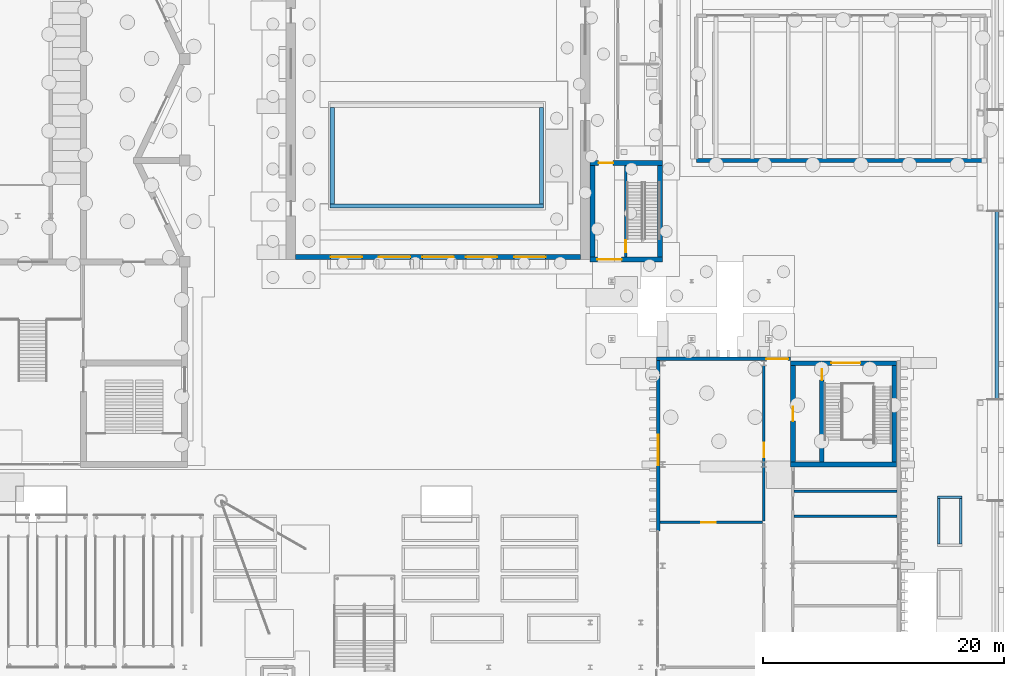
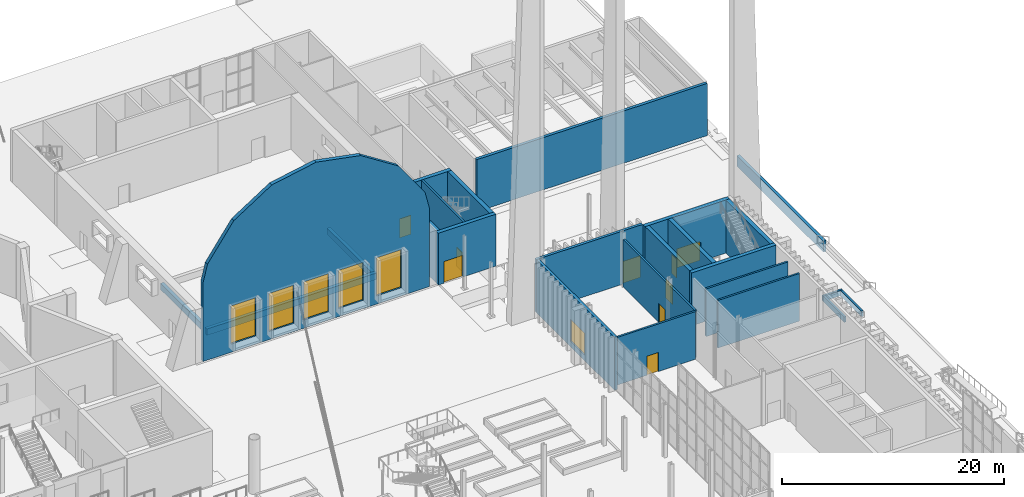
# One storey, part 73 of 108: 25 walls, 9 doors, 6 windows, 15 openings.
"""IFC4 building model written with IfcOpenShell, lengths in metres."""

from ifc_helpers import new_model, si_unit, direction, frame, frame_2d, origin, place, context, subcontext, project, spatial, polyline, rectangle, outline, extrude, material, layer, layer_set, type_object, element, fill, save


model = new_model("IFC4")

# Units and contexts
model_context = context("Model", 3, precision=1e-05, world=origin(), true_north=direction((0.0, 1.0)))
body_context = subcontext(model_context, "Body", "Model", "MODEL_VIEW")
ifc_project = project(units=[si_unit("LENGTHUNIT", "METRE"), si_unit("AREAUNIT", "SQUARE_METRE"), si_unit("VOLUMEUNIT", "CUBIC_METRE"), si_unit("PLANEANGLEUNIT", "RADIAN"), si_unit("MASSUNIT", "GRAM", prefix="KILO")], contexts=[model_context])

# Site, building, storey
site_placement = place(None, origin())
site = spatial("IfcSite", under=ifc_project, at=site_placement, CompositionType="ELEMENT")
building_placement = place(site_placement, origin())
building = spatial("IfcBuilding", under=site, at=building_placement, Name="Cresset Court Congress Hotel", CompositionType="ELEMENT")
storey_placement = place(building_placement, origin())
storey = spatial("IfcBuildingStorey", under=building, at=storey_placement, Name="L00", CompositionType="ELEMENT", Elevation=0.0)

# Walls
ifc_material_1 = material(Name="Concrete block wall", Category="concrete")
ifc_layer_1 = layer(ifc_material_1, 0.199951171875)
ifc_layer_set_1 = layer_set([ifc_layer_1], Name="Back-of-house wall 200")
wall_type_1 = type_object("IfcWallType", Name="Back-of-house wall 200", PredefinedType="PARTITIONING", material=ifc_layer_set_1)
for number, where, z_axis, x_axis, name in (
    (1, (168.10009765625, 54.5, 0.0), (0.0, 0.0, 1.0), (1.0, 0.0, 0.0), "A.wl.L00.003"),
    (2, (168.10009765625, 56.60009765625, 0.0), (0.0, 0.0, 1.0), (1.0, 0.0, 0.0), "A.wl.L00.004"),
):
    element("IfcWall", number, at=place(storey_placement, frame(where, z_axis=z_axis, x_axis=x_axis)), inside=storey, type_object=wall_type_1, Name=name, PredefinedType="PARTITIONING", context=body_context, shape_type="SweptSolid", body=[
        extrude(rectangle(XDim=8.52001953125, YDim=0.199951171875, at=frame_2d((4.260009765625, 0.0))), origin(), (0.0, 0.0, 1.0), 5.25),
    ])

# Wall, opening, door
wall_1_placement = place(storey_placement, frame((156.97998046875, 54.0, 0.0), z_axis=(0.0, 0.0, 1.0), x_axis=(1.0, 0.0, 0.0)))
wall_1 = element("IfcWall", 3, at=wall_1_placement, inside=storey, type_object=wall_type_1, Name="A.wl.L00.011", PredefinedType="PARTITIONING", context=body_context, shape_type="SweptSolid", body=[
    extrude(rectangle(XDim=8.52001953125, YDim=0.199951171875, at=frame_2d((4.260009765625, 0.0))), origin(), (0.0, 0.0, 1.0), 5.25),
])
opening_1_placement = place(wall_1_placement, frame((3.419921875, 0.0, 0.0)))
opening_1 = element("IfcOpeningElement", 4, at=opening_1_placement, cuts=wall_1, Name="Opening DA-00-11", PredefinedType="OPENING", context=body_context, shape_type="SweptSolid", body=[
    extrude(rectangle(XDim=1.199951171875, YDim=2.10009765625, at=frame_2d((0.60009765625, 1.050048828125))), frame((0.0, 0.10986328125, 0.0), z_axis=(0.0, -1.0, 0.0), x_axis=(1.0, 0.0, 0.0)), (0.0, 0.0, 1.0), 0.219970703125),
])
ifc_material_2 = material(Name="timber", Category="wood")
door_type_1 = type_object("IfcDoorType", Name="Interior door 1200x2100 FD60", OperationType="SINGLE_SWING_LEFT", PredefinedType="DOOR", material=ifc_material_2)
door_1_placement = place(opening_1_placement, origin())
door_1 = element("IfcDoor", 5, at=door_1_placement, inside=storey, type_object=door_type_1, Name="Door DA-00-11", OperationType="SINGLE_SWING_LEFT", OverallHeight=2.10009765625, OverallWidth=1.199951171875, PredefinedType="DOOR", context=body_context, shape_type="SweptSolid", body=[
    extrude(rectangle(XDim=1.199951171875, YDim=2.10009765625, at=frame_2d((0.60009765625, 1.050048828125))), frame((0.0, 0.02490234375, 0.0), z_axis=(0.0, -1.0, 0.0), x_axis=(1.0, 0.0, 0.0)), (0.0, 0.0, 1.0), 0.050048828125),
])
fill(opening_1, door_1)

ifc_material_3 = material(Name="Gypsum board partition")
ifc_layer_2 = layer(ifc_material_3, 0.199951171875)
ifc_layer_set_2 = layer_set([ifc_layer_2], Name="Corridor wall 200")
wall_type_2 = type_object("IfcWallType", Name="Corridor wall 200", PredefinedType="PARTITIONING", material=ifc_layer_set_2)
wall_2_placement = place(storey_placement, frame((165.60009765625, 54.10009765625, 0.0), z_axis=(0.0, 0.0, 1.0), x_axis=(0.0, 1.0, 0.0)))
wall_2 = element("IfcWall", 6, at=wall_2_placement, inside=storey, type_object=wall_type_2, Name="A.wl.L00.013", PredefinedType="PARTITIONING", context=body_context, shape_type="SweptSolid", body=[
    extrude(rectangle(XDim=12.885986328125, YDim=0.199951171875, at=frame_2d((6.44287109375, 0.0))), origin(), (0.0, 0.0, 1.0), 5.25),
])
opening_2_placement = place(wall_2_placement, frame((5.300048828125, 0.0, 0.0)))
opening_2 = element("IfcOpeningElement", 7, at=opening_2_placement, cuts=wall_2, Name="Opening DA-00-10", PredefinedType="OPENING", context=body_context, shape_type="SweptSolid", body=[
    extrude(rectangle(XDim=1.199951171875, YDim=2.10009765625, at=frame_2d((0.60009765625, 1.050048828125))), frame((0.0, 0.10986328125, 0.0), z_axis=(0.0, -1.0, 0.0), x_axis=(1.0, 0.0, 0.0)), (0.0, 0.0, 1.0), 0.219970703125),
])
ifc_material_4 = material(Name="steel", Category="steel")
door_type_2 = type_object("IfcDoorType", Name="Back-of-house door 1200x2100 FD60", OperationType="SINGLE_SWING_LEFT", PredefinedType="DOOR", material=ifc_material_4)
door_2_placement = place(opening_2_placement, origin())
door_2 = element("IfcDoor", 8, at=door_2_placement, inside=storey, type_object=door_type_2, Name="Door DA-00-10", OperationType="SINGLE_SWING_RIGHT", OverallHeight=2.10009765625, OverallWidth=1.199951171875, PredefinedType="DOOR", context=body_context, shape_type="SweptSolid", body=[
    extrude(rectangle(XDim=1.199951171875, YDim=2.10009765625, at=frame_2d((0.60009765625, 1.050048828125))), frame((0.0, 0.02490234375, 0.0), z_axis=(0.0, -1.0, 0.0), x_axis=(1.0, 0.0, 0.0)), (0.0, 0.0, 1.0), 0.050048828125),
])
fill(opening_2, door_2)

# Wall, opening, window
ifc_material_5 = material(Name="Precast concrete C50", Category="concrete")
ifc_layer_3 = layer(ifc_material_5, 0.280029296875)
ifc_layer_set_3 = layer_set([ifc_layer_3], Name="External wall 280")
wall_type_3 = type_object("IfcWallType", Name="External wall 280", PredefinedType="SOLIDWALL", material=ifc_layer_set_3)
wall_3_placement = place(storey_placement, frame((156.840087890625, 53.300048828125, 0.0), z_axis=(0.0, 0.0, 1.0), x_axis=(0.0, 1.0, 0.0)))
wall_3 = element("IfcWall", 9, at=wall_3_placement, inside=storey, type_object=wall_type_3, Name="A.ew.L00.W.1", PredefinedType="SOLIDWALL", context=body_context, shape_type="SweptSolid", body=[
    extrude(rectangle(XDim=14.119873046875, YDim=0.280029296875, at=frame_2d((7.06005859375, 0.0))), origin(), (0.0, 0.0, 1.0), 5.85009765625),
])
opening_3_placement = place(wall_3_placement, frame((5.43994140625, 0.0, 0.60009765625)))
opening_3 = element("IfcOpeningElement", 10, at=opening_3_placement, cuts=wall_3, Name="Opening NA-00-01", PredefinedType="OPENING", context=body_context, shape_type="SweptSolid", body=[
    extrude(rectangle(XDim=2.52001953125, YDim=2.39990234375, at=frame_2d((1.260009765625, 1.199951171875))), frame((0.0, 0.14990234375, 0.0), z_axis=(0.0, -1.0, 0.0), x_axis=(1.0, 0.0, 0.0)), (0.0, 0.0, 1.0), 0.300048828125),
])
ifc_material_6 = material(Name="Aluminium and glass", Category="aluminium")
window_type_1 = type_object("IfcWindowType", Name="Window 2520x2400", PartitioningType="SINGLE_PANEL", PredefinedType="WINDOW", material=ifc_material_6)
window_1_placement = place(opening_3_placement, origin())
window_1 = element("IfcWindow", 11, at=window_1_placement, inside=storey, type_object=window_type_1, Name="Window NA-00-01", OverallHeight=2.39990234375, OverallWidth=2.52001953125, PartitioningType="SINGLE_PANEL", PredefinedType="WINDOW", context=body_context, shape_type="SweptSolid", body=[
    extrude(rectangle(XDim=2.52001953125, YDim=2.39990234375, at=frame_2d((1.260009765625, 1.199951171875))), frame((0.0, 0.030029296875, 0.0), z_axis=(0.0, -1.0, 0.0), x_axis=(1.0, 0.0, 0.0)), (0.0, 0.0, 1.0), 0.06005859375),
])
fill(opening_3, window_1)

# Wall, opening, door
ifc_material_7 = material(Name="Precast concrete C50", Category="concrete")
ifc_layer_4 = layer(ifc_material_7, 0.280029296875)
ifc_layer_set_4 = layer_set([ifc_layer_4], Name="Gable end wall 280")
wall_type_4 = type_object("IfcWallType", Name="Gable end wall 280", PredefinedType="SOLIDWALL", material=ifc_layer_set_4)
wall_4_placement = place(storey_placement, frame((156.699951171875, 67.56005859375, 0.0), z_axis=(0.0, 0.0, 1.0), x_axis=(1.0, 0.0, 0.0)))
wall_4 = element("IfcWall", 12, at=wall_4_placement, inside=storey, type_object=wall_type_4, Name="A.ew.L00.N.1", PredefinedType="SOLIDWALL", context=body_context, shape_type="SweptSolid", body=[
    extrude(rectangle(XDim=11.10009765625, YDim=0.280029296875, at=frame_2d((5.550048828125, 0.0))), origin(), (0.0, 0.0, 1.0), 5.85009765625),
])
opening_4_placement = place(wall_4_placement, frame((9.10009765625, 0.0, 0.0)))
opening_4 = element("IfcOpeningElement", 13, at=opening_4_placement, cuts=wall_4, Name="Opening DA-00-S1", PredefinedType="OPENING", context=body_context, shape_type="SweptSolid", body=[
    extrude(rectangle(XDim=1.800048828125, YDim=2.39990234375, at=frame_2d((0.89990234375, 1.199951171875))), frame((0.0, 0.14990234375, 0.0), z_axis=(0.0, -1.0, 0.0), x_axis=(1.0, 0.0, 0.0)), (0.0, 0.0, 1.0), 0.300048828125),
])
ifc_material_8 = material(Name="steel", Category="steel")
door_type_3 = type_object("IfcDoorType", Name="Service entrance door 1800x2400", OperationType="DOUBLE_DOOR_DOUBLE_SWING", PredefinedType="DOOR", material=ifc_material_8)
door_3_placement = place(opening_4_placement, origin())
door_3 = element("IfcDoor", 14, at=door_3_placement, inside=storey, type_object=door_type_3, Name="Door DA-00-S1", OperationType="DOUBLE_DOOR_DOUBLE_SWING", OverallHeight=2.39990234375, OverallWidth=1.800048828125, PredefinedType="DOOR", context=body_context, shape_type="SweptSolid", body=[
    extrude(rectangle(XDim=1.800048828125, YDim=2.39990234375, at=frame_2d((0.89990234375, 1.199951171875))), frame((0.0, 0.02490234375, 0.0), z_axis=(0.0, -1.0, 0.0), x_axis=(1.0, 0.0, 0.0)), (0.0, 0.0, 1.0), 0.050048828125),
])
fill(opening_4, door_3)

# Walls
ifc_material_9 = material(Name="Concrete C35", Category="concrete")
ifc_layer_5 = layer(ifc_material_9, 0.199951171875)
ifc_layer_set_5 = layer_set([ifc_layer_5], Name="Planter wall 200")
wall_type_5 = type_object("IfcWallType", Name="Planter wall 200", PredefinedType="SOLIDWALL", material=ifc_layer_set_5)
wall_5_placement = place(storey_placement, frame((180.0, 56.10009765625, 0.0), z_axis=(0.0, 0.0, 1.0), x_axis=(1.0, 0.0, 0.0)))
element("IfcWall", 15, at=wall_5_placement, inside=storey, type_object=wall_type_5, Name="S.planter.L00.12.N", PredefinedType="SOLIDWALL", context=body_context, shape_type="SweptSolid", body=[
    extrude(rectangle(XDim=2.0, YDim=0.199951171875, at=frame_2d((1.0, 0.0))), origin(), (0.0, 0.0, 1.0), 0.60009765625),
])
for number, where, z_axis, x_axis, name in (
    (16, (180.10009765625, 52.199951171875, 0.0), (0.0, 0.0, 1.0), (0.0, 1.0, 0.0), "S.planter.L00.12.W"),
    (17, (181.89990234375, 52.199951171875, 0.0), (0.0, 0.0, 1.0), (0.0, 1.0, 0.0), "S.planter.L00.12.E"),
):
    element("IfcWall", number, at=place(storey_placement, frame(where, z_axis=z_axis, x_axis=x_axis)), inside=storey, type_object=wall_type_5, Name=name, PredefinedType="SOLIDWALL", context=body_context, shape_type="SweptSolid", body=[
        extrude(rectangle(XDim=3.800048828125, YDim=0.199951171875, at=frame_2d((1.89990234375, 0.0))), origin(), (0.0, 0.0, 1.0), 0.60009765625),
    ])
ifc_material_10 = material(Name="Concrete C35", Category="concrete")
ifc_layer_6 = layer(ifc_material_10, 0.300048828125)
ifc_layer_set_6 = layer_set([ifc_layer_6], Name="Plinth wall 300")
wall_type_6 = type_object("IfcWallType", Name="Plinth wall 300", PredefinedType="SOLIDWALL", material=ifc_layer_set_6)
wall_6_placement = place(storey_placement, frame((184.89990234375, 64.199951171875, -1.199951171875), z_axis=(0.0, 0.0, 1.0), x_axis=(0.0, 1.0, 0.0)))
element("IfcWall", 18, at=wall_6_placement, inside=storey, type_object=wall_type_6, Name="S.wall.L00.PE05", PredefinedType="SOLIDWALL", context=body_context, shape_type="SweptSolid", body=[
    extrude(rectangle(XDim=15.60009765625, YDim=0.300048828125, at=frame_2d((7.800048828125, 0.0))), origin(), (0.0, 0.0, 1.0), 1.199951171875),
])

# Wall, opening, door
ifc_material_11 = material(Name="Concrete C50", Category="concrete")
ifc_layer_7 = layer(ifc_material_11, 0.39990234375)
ifc_layer_set_7 = layer_set([ifc_layer_7], Name="RC core wall 400 C50")
wall_type_7 = type_object("IfcWallType", Name="RC core wall 400 C50", PredefinedType="SOLIDWALL", material=ifc_layer_set_7)
wall_7_placement = place(storey_placement, frame((151.199951171875, 83.800048828125, 0.0), z_axis=(0.0, 0.0, 1.0), x_axis=(1.0, 0.0, 0.0)))
wall_7 = element("IfcWall", 19, at=wall_7_placement, inside=storey, type_object=wall_type_7, Name="ST-E2 north wall", PredefinedType="SOLIDWALL", context=body_context, shape_type="SweptSolid", body=[
    extrude(rectangle(XDim=6.0, YDim=0.39990234375, at=frame_2d((3.0, 0.0))), origin(), (0.0, 0.0, 1.0), 5.719970703125),
])
opening_5_placement = place(wall_7_placement, frame((0.699951171875, 0.0, 0.0)))
opening_5 = element("IfcOpeningElement", 20, at=opening_5_placement, cuts=wall_7, Name="Opening DE-00-10", PredefinedType="OPENING", context=body_context, shape_type="SweptSolid", body=[
    extrude(rectangle(XDim=1.199951171875, YDim=2.10009765625, at=frame_2d((0.60009765625, 1.050048828125))), frame((0.0, 0.2099609375, 0.0), z_axis=(0.0, -1.0, 0.0), x_axis=(1.0, 0.0, 0.0)), (0.0, 0.0, 1.0), 0.419921875),
])
ifc_material_12 = material(Name="Timber door leaf", Category="wood")
door_type_4 = type_object("IfcDoorType", Name="Stair lobby door 1200x2100", OperationType="SINGLE_SWING_LEFT", PredefinedType="DOOR", material=ifc_material_12)
door_4_placement = place(opening_5_placement, origin())
door_4 = element("IfcDoor", 21, at=door_4_placement, inside=storey, type_object=door_type_4, Name="Stair lobby door DE-00-10", OperationType="SINGLE_SWING_LEFT", OverallHeight=2.10009765625, OverallWidth=1.199951171875, PredefinedType="DOOR", context=body_context, shape_type="SweptSolid", body=[
    extrude(rectangle(XDim=1.199951171875, YDim=2.10009765625, at=frame_2d((0.60009765625, 1.050048828125))), frame((0.0, 0.02490234375, 0.0), z_axis=(0.0, -1.0, 0.0), x_axis=(1.0, 0.0, 0.0)), (0.0, 0.0, 1.0), 0.050048828125),
])
fill(opening_5, door_4)

# Wall
wall_8_placement = place(storey_placement, frame((151.39990234375, 76.0, 0.0), z_axis=(0.0, 0.0, 1.0), x_axis=(0.0, 1.0, 0.0)))
element("IfcWall", 22, at=wall_8_placement, inside=storey, type_object=wall_type_7, Name="ST-E2 west wall", PredefinedType="SOLIDWALL", context=body_context, shape_type="SweptSolid", body=[
    extrude(rectangle(XDim=7.60009765625, YDim=0.39990234375, at=frame_2d((3.800048828125, 0.0))), origin(), (0.0, 0.0, 1.0), 5.719970703125),
])

# Wall, opening, door
ifc_material_13 = material(Name="Concrete C50", Category="concrete")
ifc_layer_8 = layer(ifc_material_13, 0.39990234375)
ifc_layer_set_8 = layer_set([ifc_layer_8], Name="RC core wall 400 C50 external")
wall_type_8 = type_object("IfcWallType", Name="RC core wall 400 C50 external", PredefinedType="SOLIDWALL", material=ifc_layer_set_8)
wall_9_placement = place(storey_placement, frame((157.199951171875, 75.800048828125, 0.0), z_axis=(0.0, 0.0, 1.0), x_axis=(-1.0, 0.0, 0.0)))
wall_9 = element("IfcWall", 23, at=wall_9_placement, inside=storey, type_object=wall_type_8, Name="ST-E2 south wall", PredefinedType="SOLIDWALL", context=body_context, shape_type="SweptSolid", body=[
    extrude(rectangle(XDim=6.0, YDim=0.39990234375, at=frame_2d((3.0, 0.0))), origin(), (0.0, 0.0, 1.0), 5.719970703125),
])
opening_6_placement = place(wall_9_placement, frame((3.39990234375, 0.0, 0.0)))
opening_6 = element("IfcOpeningElement", 24, at=opening_6_placement, cuts=wall_9, Name="Opening DE-00-03", PredefinedType="OPENING", context=body_context, shape_type="SweptSolid", body=[
    extrude(rectangle(XDim=2.0, YDim=2.39990234375, at=frame_2d((1.0, 1.199951171875))), frame((0.0, 0.2099609375, 0.0), z_axis=(0.0, -1.0, 0.0), x_axis=(1.0, 0.0, 0.0)), (0.0, 0.0, 1.0), 0.419921875),
])
ifc_material_14 = material(Name="Timber door leaf", Category="wood")
door_type_5 = type_object("IfcDoorType", Name="Entrance double door 2000x2400", OperationType="DOUBLE_DOOR_SINGLE_SWING", PredefinedType="DOOR", material=ifc_material_14)
door_5_placement = place(opening_6_placement, origin())
door_5 = element("IfcDoor", 25, at=door_5_placement, inside=storey, type_object=door_type_5, Name="Entrance double door DE-00-03", OperationType="DOUBLE_DOOR_SINGLE_SWING", OverallHeight=2.39990234375, OverallWidth=2.0, PredefinedType="DOOR", context=body_context, shape_type="SweptSolid", body=[
    extrude(rectangle(XDim=2.0, YDim=2.39990234375, at=frame_2d((1.0, 1.199951171875))), frame((0.0, 0.02490234375, 0.0), z_axis=(0.0, -1.0, 0.0), x_axis=(1.0, 0.0, 0.0)), (0.0, 0.0, 1.0), 0.050048828125),
])
fill(opening_6, door_5)

# Walls
wall_10_placement = place(storey_placement, frame((157.0, 76.0, 0.0), z_axis=(0.0, 0.0, 1.0), x_axis=(0.0, 1.0, 0.0)))
element("IfcWall", 26, at=wall_10_placement, inside=storey, type_object=wall_type_8, Name="ST-E2 east wall", PredefinedType="SOLIDWALL", context=body_context, shape_type="SweptSolid", body=[
    extrude(rectangle(XDim=7.60009765625, YDim=0.39990234375, at=frame_2d((3.800048828125, 0.0))), origin(), (0.0, 0.0, 1.0), 5.719970703125),
])
ifc_material_15 = material(Name="Concrete C35", Category="concrete")
ifc_layer_9 = layer(ifc_material_15, 0.35009765625)
ifc_layer_set_9 = layer_set([ifc_layer_9], Name="RC pool tank wall 350 C35")
wall_type_9 = type_object("IfcWallType", Name="RC pool tank wall 350 C35", PredefinedType="SOLIDWALL", material=ifc_layer_set_9)
wall_11_placement = place(storey_placement, frame((129.64990234375, 80.22509765625, -0.699951171875), z_axis=(0.0, 0.0, 1.0), x_axis=(1.0, 0.0, 0.0)))
element("IfcWall", 27, at=wall_11_placement, inside=storey, type_object=wall_type_9, Name="Pool wall south", PredefinedType="SOLIDWALL", context=body_context, shape_type="SweptSolid", body=[
    extrude(rectangle(XDim=17.7001953125, YDim=0.35009765625, at=frame_2d((8.85009765625, 0.0))), origin(), (0.0, 0.0, 1.0), 0.699951171875),
])
for number, where, z_axis, x_axis, name in (
    (28, (129.824951171875, 80.39990234375, -0.699951171875), (0.0, 0.0, 1.0), (0.0, 1.0, 0.0), "Pool wall west"),
    (29, (147.175048828125, 80.39990234375, -0.699951171875), (0.0, 0.0, 1.0), (0.0, 1.0, 0.0), "Pool wall east"),
):
    element("IfcWall", number, at=place(storey_placement, frame(where, z_axis=z_axis, x_axis=x_axis)), inside=storey, type_object=wall_type_9, Name=name, PredefinedType="SOLIDWALL", context=body_context, shape_type="SweptSolid", body=[
        extrude(rectangle(XDim=8.0, YDim=0.35009765625, at=frame_2d((4.0, 0.0))), origin(), (0.0, 0.0, 1.0), 0.699951171875),
    ])

# Wall, opening, door
ifc_material_16 = material(Name="Concrete C40", Category="concrete")
ifc_layer_10 = layer(ifc_material_16, 0.199951171875)
ifc_layer_set_10 = layer_set([ifc_layer_10], Name="RC stair enclosure wall 200 C40")
wall_type_10 = type_object("IfcWallType", Name="RC stair enclosure wall 200 C40", PredefinedType="SOLIDWALL", material=ifc_layer_set_10)
wall_12_placement = place(storey_placement, frame((154.14990234375, 76.0, 0.0), z_axis=(0.0, 0.0, 1.0), x_axis=(0.0, 1.0, 0.0)))
wall_12 = element("IfcWall", 30, at=wall_12_placement, inside=storey, type_object=wall_type_10, Name="ST-E2 stair enclosure wall", PredefinedType="SOLIDWALL", context=body_context, shape_type="SweptSolid", body=[
    extrude(rectangle(XDim=7.60009765625, YDim=0.199951171875, at=frame_2d((3.800048828125, 0.0))), origin(), (0.0, 0.0, 1.0), 5.719970703125),
])
opening_7_placement = place(wall_12_placement, frame((0.39990234375, 0.0, 0.0)))
opening_7 = element("IfcOpeningElement", 31, at=opening_7_placement, cuts=wall_12, Name="Opening DE-00-09", PredefinedType="OPENING", context=body_context, shape_type="SweptSolid", body=[
    extrude(rectangle(XDim=1.0, YDim=2.10009765625, at=frame_2d((0.5, 1.050048828125))), frame((0.0, 0.10986328125, 0.0), z_axis=(0.0, -1.0, 0.0), x_axis=(1.0, 0.0, 0.0)), (0.0, 0.0, 1.0), 0.219970703125),
])
ifc_material_17 = material(Name="Timber door leaf", Category="wood")
door_type_6 = type_object("IfcDoorType", Name="Stair door 1000x2100", OperationType="SINGLE_SWING_LEFT", PredefinedType="DOOR", material=ifc_material_17)
door_6_placement = place(opening_7_placement, origin())
door_6 = element("IfcDoor", 32, at=door_6_placement, inside=storey, type_object=door_type_6, Name="Stair door DE-00-09", OperationType="SINGLE_SWING_LEFT", OverallHeight=2.10009765625, OverallWidth=1.0, PredefinedType="DOOR", context=body_context, shape_type="SweptSolid", body=[
    extrude(rectangle(XDim=1.0, YDim=2.10009765625, at=frame_2d((0.5, 1.050048828125))), frame((0.0, 0.02490234375, 0.0), z_axis=(0.0, -1.0, 0.0), x_axis=(1.0, 0.0, 0.0)), (0.0, 0.0, 1.0), 0.050048828125),
])
fill(opening_7, door_6)

# Walls
ifc_material_18 = material(Name="Concrete C35", Category="concrete")
ifc_layer_11 = layer(ifc_material_18, 0.300048828125)
ifc_layer_set_11 = layer_set([ifc_layer_11], Name="Service building wall 300 Concrete C35")
wall_type_11 = type_object("IfcWallType", Name="Service building wall 300 Concrete C35", PredefinedType="SOLIDWALL", material=ifc_layer_set_11)
wall_13_placement = place(storey_placement, frame((160.0, 84.0, 0.0), z_axis=(0.0, 0.0, 1.0), x_axis=(1.0, 0.0, 0.0)))
element("IfcWall", 33, at=wall_13_placement, inside=storey, type_object=wall_type_11, Name="S.svc.DK.WS", PredefinedType="SOLIDWALL", context=body_context, shape_type="SweptSolid", body=[
    extrude(rectangle(XDim=24.0, YDim=0.300048828125, at=frame_2d((12.0, 0.0))), origin(), (0.0, 0.0, 1.0), 5.75),
])
ifc_material_19 = material(Name="Concrete C50", Category="concrete")
ifc_layer_12 = layer(ifc_material_19, 0.39990234375)
ifc_layer_set_12 = layer_set([ifc_layer_12], Name="Stair core wall 400")
wall_type_12 = type_object("IfcWallType", Name="Stair core wall 400", PredefinedType="SOLIDWALL", material=ifc_layer_set_12)
wall_14_placement = place(storey_placement, frame((167.800048828125, 58.800048828125, 0.0), z_axis=(0.0, 0.0, 1.0), x_axis=(1.0, 0.0, 0.0)))
element("IfcWall", 34, at=wall_14_placement, inside=storey, type_object=wall_type_12, Name="A.cw.ST-A2.L00.S", PredefinedType="SOLIDWALL", context=body_context, shape_type="SweptSolid", body=[
    extrude(rectangle(XDim=8.800048828125, YDim=0.39990234375, at=frame_2d((4.39990234375, 0.0))), origin(), (0.0, 0.0, 1.0), 5.85009765625),
])

# Wall, opening, door
wall_15_placement = place(storey_placement, frame((167.800048828125, 67.199951171875, 0.0), z_axis=(0.0, 0.0, 1.0), x_axis=(1.0, 0.0, 0.0)))
wall_15 = element("IfcWall", 35, at=wall_15_placement, inside=storey, type_object=wall_type_12, Name="A.cw.ST-A2.L00.N", PredefinedType="SOLIDWALL", context=body_context, shape_type="SweptSolid", body=[
    extrude(rectangle(XDim=8.800048828125, YDim=0.39990234375, at=frame_2d((4.39990234375, 0.0))), origin(), (0.0, 0.0, 1.0), 5.85009765625),
])
opening_8_placement = place(wall_15_placement, frame((3.39990234375, 0.0, 0.0)))
opening_8 = element("IfcOpeningElement", 36, at=opening_8_placement, cuts=wall_15, Name="Opening DA-00-17", PredefinedType="OPENING", context=body_context, shape_type="SweptSolid", body=[
    extrude(rectangle(XDim=2.39990234375, YDim=2.10009765625, at=frame_2d((1.199951171875, 1.050048828125))), frame((0.0, 0.2099609375, 0.0), z_axis=(0.0, -1.0, 0.0), x_axis=(1.0, 0.0, 0.0)), (0.0, 0.0, 1.0), 0.419921875),
])
ifc_material_20 = material(Name="steel", Category="steel")
door_type_7 = type_object("IfcDoorType", Name="Stair exit door 2400x2100 FD30", OperationType="DOUBLE_DOOR_DOUBLE_SWING", PredefinedType="DOOR", material=ifc_material_20)
door_7_placement = place(opening_8_placement, origin())
door_7 = element("IfcDoor", 37, at=door_7_placement, inside=storey, type_object=door_type_7, Name="Door DA-00-17", OperationType="DOUBLE_DOOR_DOUBLE_SWING", OverallHeight=2.10009765625, OverallWidth=2.39990234375, PredefinedType="DOOR", context=body_context, shape_type="SweptSolid", body=[
    extrude(rectangle(XDim=2.39990234375, YDim=2.10009765625, at=frame_2d((1.199951171875, 1.050048828125))), frame((0.0, 0.02490234375, 0.0), z_axis=(0.0, -1.0, 0.0), x_axis=(1.0, 0.0, 0.0)), (0.0, 0.0, 1.0), 0.050048828125),
])
fill(opening_8, door_7)

wall_16_placement = place(storey_placement, frame((168.0, 59.0, 0.0), z_axis=(0.0, 0.0, 1.0), x_axis=(0.0, 1.0, 0.0)))
wall_16 = element("IfcWall", 38, at=wall_16_placement, inside=storey, type_object=wall_type_12, Name="A.cw.ST-A2.L00.W", PredefinedType="SOLIDWALL", context=body_context, shape_type="SweptSolid", body=[
    extrude(rectangle(XDim=8.0, YDim=0.39990234375, at=frame_2d((4.0, 0.0))), origin(), (0.0, 0.0, 1.0), 5.85009765625),
])
opening_9_placement = place(wall_16_placement, frame((3.39990234375, 0.0, 0.0)))
opening_9 = element("IfcOpeningElement", 39, at=opening_9_placement, cuts=wall_16, Name="Opening DA-00-15", PredefinedType="OPENING", context=body_context, shape_type="SweptSolid", body=[
    extrude(rectangle(XDim=1.199951171875, YDim=2.10009765625, at=frame_2d((0.60009765625, 1.050048828125))), frame((0.0, 0.2099609375, 0.0), z_axis=(0.0, -1.0, 0.0), x_axis=(1.0, 0.0, 0.0)), (0.0, 0.0, 1.0), 0.419921875),
])
ifc_material_21 = material(Name="steel", Category="steel")
door_type_8 = type_object("IfcDoorType", Name="Lobby door 1200x2100 FD60", OperationType="SINGLE_SWING_LEFT", PredefinedType="DOOR", material=ifc_material_21)
door_8_placement = place(opening_9_placement, origin())
door_8 = element("IfcDoor", 40, at=door_8_placement, inside=storey, type_object=door_type_8, Name="Door DA-00-15", OperationType="SINGLE_SWING_LEFT", OverallHeight=2.10009765625, OverallWidth=1.199951171875, PredefinedType="DOOR", context=body_context, shape_type="SweptSolid", body=[
    extrude(rectangle(XDim=1.199951171875, YDim=2.10009765625, at=frame_2d((0.60009765625, 1.050048828125))), frame((0.0, 0.02490234375, 0.0), z_axis=(0.0, -1.0, 0.0), x_axis=(1.0, 0.0, 0.0)), (0.0, 0.0, 1.0), 0.050048828125),
])
fill(opening_9, door_8)

# Wall
wall_17_placement = place(storey_placement, frame((176.39990234375, 59.0, 0.0), z_axis=(0.0, 0.0, 1.0), x_axis=(0.0, 1.0, 0.0)))
element("IfcWall", 41, at=wall_17_placement, inside=storey, type_object=wall_type_12, Name="A.cw.ST-A2.L00.E", PredefinedType="SOLIDWALL", context=body_context, shape_type="SweptSolid", body=[
    extrude(rectangle(XDim=8.0, YDim=0.39990234375, at=frame_2d((4.0, 0.0))), origin(), (0.0, 0.0, 1.0), 5.85009765625),
])

# Wall, opening, door
wall_18_placement = place(storey_placement, frame((170.39990234375, 59.0, 0.0), z_axis=(0.0, 0.0, 1.0), x_axis=(0.0, 1.0, 0.0)))
wall_18 = element("IfcWall", 42, at=wall_18_placement, inside=storey, type_object=wall_type_12, Name="A.wl.L00.016", PredefinedType="SOLIDWALL", context=body_context, shape_type="SweptSolid", body=[
    extrude(rectangle(XDim=8.0, YDim=0.39990234375, at=frame_2d((4.0, 0.0))), origin(), (0.0, 0.0, 1.0), 5.85009765625),
])
opening_10_placement = place(wall_18_placement, frame((6.800048828125, 0.0, 0.0)))
opening_10 = element("IfcOpeningElement", 43, at=opening_10_placement, cuts=wall_18, Name="Opening DA-00-13", PredefinedType="OPENING", context=body_context, shape_type="SweptSolid", body=[
    extrude(rectangle(XDim=0.89990234375, YDim=2.10009765625, at=frame_2d((0.449951171875, 1.050048828125))), frame((0.0, 0.2099609375, 0.0), z_axis=(0.0, -1.0, 0.0), x_axis=(1.0, 0.0, 0.0)), (0.0, 0.0, 1.0), 0.419921875),
])
ifc_material_22 = material(Name="steel", Category="steel")
door_type_9 = type_object("IfcDoorType", Name="Stair door 900x2100 FD60", OperationType="SINGLE_SWING_LEFT", PredefinedType="DOOR", material=ifc_material_22)
door_9_placement = place(opening_10_placement, origin())
door_9 = element("IfcDoor", 44, at=door_9_placement, inside=storey, type_object=door_type_9, Name="Door DA-00-13", OperationType="SINGLE_SWING_RIGHT", OverallHeight=2.10009765625, OverallWidth=0.89990234375, PredefinedType="DOOR", context=body_context, shape_type="SweptSolid", body=[
    extrude(rectangle(XDim=0.89990234375, YDim=2.10009765625, at=frame_2d((0.449951171875, 1.050048828125))), frame((0.0, 0.02490234375, 0.0), z_axis=(0.0, -1.0, 0.0), x_axis=(1.0, 0.0, 0.0)), (0.0, 0.0, 1.0), 0.050048828125),
])
fill(opening_10, door_9)

# Wall, openings, windows
ifc_material_23 = material(Name="Limestone cladding on concrete C40", Category="masonry")
ifc_layer_13 = layer(ifc_material_23, 0.39990234375)
ifc_layer_set_13 = layer_set([ifc_layer_13], Name="Stone-faced external wall 400 C40")
wall_type_13 = type_object("IfcWallType", Name="Stone-faced external wall 400 C40", PredefinedType="SOLIDWALL", material=ifc_layer_set_13)
wall_19_placement = place(storey_placement, frame((126.800048828125, 76.0, 0.0), z_axis=(0.0, 0.0, 1.0), x_axis=(1.0, 0.0, 0.0)))
wall_19 = element("IfcWall", 45, at=wall_19_placement, inside=storey, type_object=wall_type_13, Name="Pool hall south gable wall", PredefinedType="SOLIDWALL", context=body_context, shape_type="SweptSolid", body=[
    extrude(outline(polyline([(0.0, 0.0), (23.599853515625, 0.0), (23.60009765625, 8.6494140625), (23.131591796875, 10.572021484375), (20.394775390625, 14.409423828125), (16.428466796875, 16.955810546875), (11.800048828125, 17.84716796875), (7.171630859375, 16.955810546875), (3.205322265625, 14.409423828125), (0.468505859375, 10.572021484375), (0.0, 8.6494140625), (0.0, 0.0)])), frame((0.0, 0.199951171875, 0.0), z_axis=(0.0, -1.0, 0.0), x_axis=(1.0, 0.0, 0.0)), (0.0, 0.0, 1.0), 0.39990234375),
])
opening_11_placement = place(wall_19_placement, frame((2.89990234375, 0.0, 0.89990234375)))
opening_11 = element("IfcOpeningElement", 46, at=opening_11_placement, cuts=wall_19, Name="Opening NE-00-01", PredefinedType="OPENING", context=body_context, shape_type="SweptSolid", body=[
    extrude(rectangle(XDim=2.60009765625, YDim=4.199951171875, at=frame_2d((1.300048828125, 2.10009765625))), frame((0.0, 0.2099609375, 0.0), z_axis=(0.0, -1.0, 0.0), x_axis=(1.0, 0.0, 0.0)), (0.0, 0.0, 1.0), 0.419921875),
])
opening_12_placement = place(wall_19_placement, frame((6.89990234375, 0.0, 0.89990234375)))
opening_12 = element("IfcOpeningElement", 47, at=opening_12_placement, cuts=wall_19, Name="Opening NE-00-02", PredefinedType="OPENING", context=body_context, shape_type="SweptSolid", body=[
    extrude(rectangle(XDim=2.60009765625, YDim=4.199951171875, at=frame_2d((1.300048828125, 2.10009765625))), frame((0.0, 0.2099609375, 0.0), z_axis=(0.0, -1.0, 0.0), x_axis=(1.0, 0.0, 0.0)), (0.0, 0.0, 1.0), 0.419921875),
])
opening_13_placement = place(wall_19_placement, frame((10.5, 0.0, 0.89990234375)))
opening_13 = element("IfcOpeningElement", 48, at=opening_13_placement, cuts=wall_19, Name="Opening NE-00-03", PredefinedType="OPENING", context=body_context, shape_type="SweptSolid", body=[
    extrude(rectangle(XDim=2.60009765625, YDim=4.199951171875, at=frame_2d((1.300048828125, 2.10009765625))), frame((0.0, 0.2099609375, 0.0), z_axis=(0.0, -1.0, 0.0), x_axis=(1.0, 0.0, 0.0)), (0.0, 0.0, 1.0), 0.419921875),
])
opening_14_placement = place(wall_19_placement, frame((14.10009765625, 0.0, 0.89990234375)))
opening_14 = element("IfcOpeningElement", 49, at=opening_14_placement, cuts=wall_19, Name="Opening NE-00-04", PredefinedType="OPENING", context=body_context, shape_type="SweptSolid", body=[
    extrude(rectangle(XDim=2.60009765625, YDim=4.199951171875, at=frame_2d((1.300048828125, 2.10009765625))), frame((0.0, 0.2099609375, 0.0), z_axis=(0.0, -1.0, 0.0), x_axis=(1.0, 0.0, 0.0)), (0.0, 0.0, 1.0), 0.419921875),
])
opening_15_placement = place(wall_19_placement, frame((18.10009765625, 0.0, 0.89990234375)))
opening_15 = element("IfcOpeningElement", 50, at=opening_15_placement, cuts=wall_19, Name="Opening NE-00-05", PredefinedType="OPENING", context=body_context, shape_type="SweptSolid", body=[
    extrude(rectangle(XDim=2.60009765625, YDim=4.199951171875, at=frame_2d((1.300048828125, 2.10009765625))), frame((0.0, 0.2099609375, 0.0), z_axis=(0.0, -1.0, 0.0), x_axis=(1.0, 0.0, 0.0)), (0.0, 0.0, 1.0), 0.419921875),
])
ifc_material_24 = material(Name="Aluminium frame with insulated glass", Category="aluminium")
window_type_2 = type_object("IfcWindowType", Name="Window 2600x4200", PartitioningType="SINGLE_PANEL", PredefinedType="WINDOW", material=ifc_material_24)
window_2_placement = place(opening_11_placement, origin())
window_2 = element("IfcWindow", 51, at=window_2_placement, inside=storey, type_object=window_type_2, Name="Window NE-00-01", OverallHeight=4.199951171875, OverallWidth=2.60009765625, PartitioningType="SINGLE_PANEL", PredefinedType="WINDOW", context=body_context, shape_type="SweptSolid", body=[
    extrude(rectangle(XDim=2.60009765625, YDim=4.199951171875, at=frame_2d((1.300048828125, 2.10009765625))), frame((0.0, 0.030029296875, 0.0), z_axis=(0.0, -1.0, 0.0), x_axis=(1.0, 0.0, 0.0)), (0.0, 0.0, 1.0), 0.06005859375),
])
fill(opening_11, window_2)
window_3_placement = place(opening_12_placement, origin())
window_3 = element("IfcWindow", 52, at=window_3_placement, inside=storey, type_object=window_type_2, Name="Window NE-00-02", OverallHeight=4.199951171875, OverallWidth=2.60009765625, PartitioningType="SINGLE_PANEL", PredefinedType="WINDOW", context=body_context, shape_type="SweptSolid", body=[
    extrude(rectangle(XDim=2.60009765625, YDim=4.199951171875, at=frame_2d((1.300048828125, 2.10009765625))), frame((0.0, 0.030029296875, 0.0), z_axis=(0.0, -1.0, 0.0), x_axis=(1.0, 0.0, 0.0)), (0.0, 0.0, 1.0), 0.06005859375),
])
fill(opening_12, window_3)
window_4_placement = place(opening_13_placement, origin())
window_4 = element("IfcWindow", 53, at=window_4_placement, inside=storey, type_object=window_type_2, Name="Window NE-00-03", OverallHeight=4.199951171875, OverallWidth=2.60009765625, PartitioningType="SINGLE_PANEL", PredefinedType="WINDOW", context=body_context, shape_type="SweptSolid", body=[
    extrude(rectangle(XDim=2.60009765625, YDim=4.199951171875, at=frame_2d((1.300048828125, 2.10009765625))), frame((0.0, 0.030029296875, 0.0), z_axis=(0.0, -1.0, 0.0), x_axis=(1.0, 0.0, 0.0)), (0.0, 0.0, 1.0), 0.06005859375),
])
fill(opening_13, window_4)
window_5_placement = place(opening_14_placement, origin())
window_5 = element("IfcWindow", 54, at=window_5_placement, inside=storey, type_object=window_type_2, Name="Window NE-00-04", OverallHeight=4.199951171875, OverallWidth=2.60009765625, PartitioningType="SINGLE_PANEL", PredefinedType="WINDOW", context=body_context, shape_type="SweptSolid", body=[
    extrude(rectangle(XDim=2.60009765625, YDim=4.199951171875, at=frame_2d((1.300048828125, 2.10009765625))), frame((0.0, 0.030029296875, 0.0), z_axis=(0.0, -1.0, 0.0), x_axis=(1.0, 0.0, 0.0)), (0.0, 0.0, 1.0), 0.06005859375),
])
fill(opening_14, window_5)
window_6_placement = place(opening_15_placement, origin())
window_6 = element("IfcWindow", 55, at=window_6_placement, inside=storey, type_object=window_type_2, Name="Window NE-00-05", OverallHeight=4.199951171875, OverallWidth=2.60009765625, PartitioningType="SINGLE_PANEL", PredefinedType="WINDOW", context=body_context, shape_type="SweptSolid", body=[
    extrude(rectangle(XDim=2.60009765625, YDim=4.199951171875, at=frame_2d((1.300048828125, 2.10009765625))), frame((0.0, 0.030029296875, 0.0), z_axis=(0.0, -1.0, 0.0), x_axis=(1.0, 0.0, 0.0)), (0.0, 0.0, 1.0), 0.06005859375),
])
fill(opening_15, window_6)

save(model, "model.ifc")
